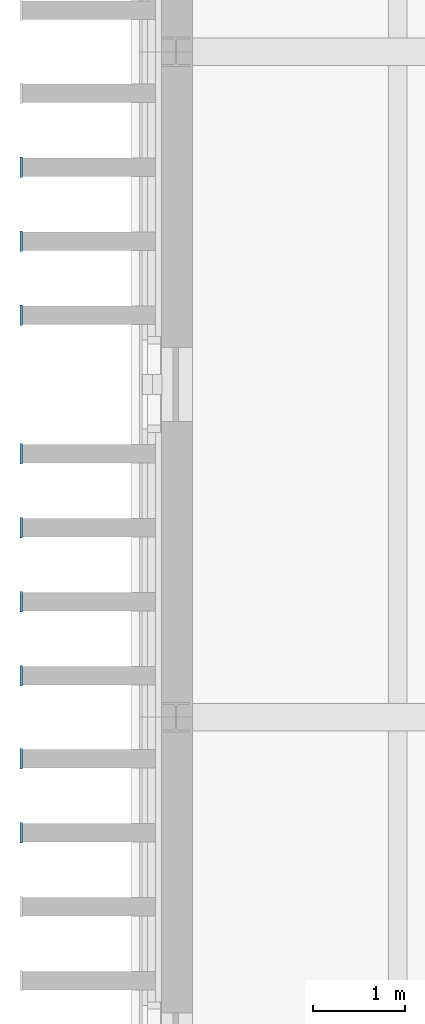
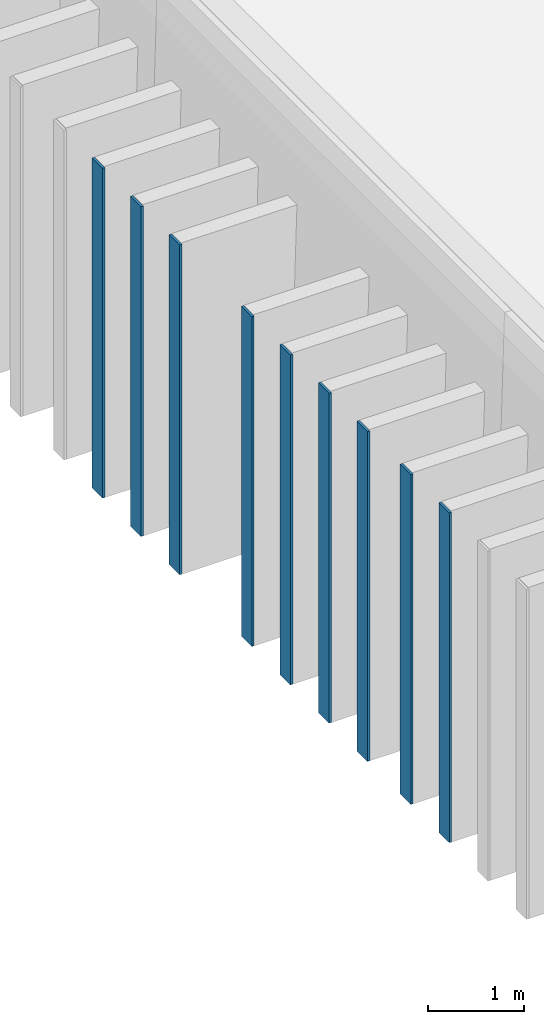
# One storey, part 18 of 44: 9 plates.
"""IFC4 building model written with IfcOpenShell, lengths in metres."""

import ifcopenshell
import ifcopenshell.guid

model = None  # the IFC model being written
_history = None  # IfcOwnerHistory: only IFC2X3 demands one
_inside = {}  # id of a spatial element -> (the spatial element, [elements in it])
_under = {}  # id of a project, library or spatial element -> (it, [spatial elements below it])
_declared = {}  # id of a project -> (the project, [libraries it declares])
_typed = {}  # id of a type object -> (the type object, [elements of that type])
_made_of = {}  # id of a material, layer set ... -> (it, [elements and type objects made of it])


def new_model(schema):
    """Start an empty IFC model of exactly this schema.

    Asked for "IFC4X3", IfcOpenShell would pick the latest addendum, in which some entities
    have other attributes; the version numbers below select the first issue.
    IFC2X3 requires an IfcOwnerHistory on every rooted entity: one is made here for all.
    """
    global model, _history
    if schema == "IFC4X3":
        model = ifcopenshell.file(schema_version=(4, 3, 0, 0))
    else:
        model = ifcopenshell.file(schema=schema)
    _inside.clear()
    _under.clear()
    _declared.clear()
    _typed.clear()
    _made_of.clear()
    _history = None
    if model.schema == "IFC2X3":
        org = make("IfcOrganization", Name="unknown")
        user = make(
            "IfcPersonAndOrganization",
            ThePerson=make("IfcPerson", FamilyName="unknown"),
            TheOrganization=org,
        )
        app = make(
            "IfcApplication",
            ApplicationDeveloper=org,
            Version="unknown",
            ApplicationFullName="unknown",
            ApplicationIdentifier="unknown",
        )
        _history = make(
            "IfcOwnerHistory",
            OwningUser=user,
            OwningApplication=app,
            ChangeAction="ADDED",
            CreationDate=0,
        )
    return model


def make(cls, **values):
    """One entity of the class cls with the attributes given. An attribute that is None is left unset."""
    return model.create_entity(
        cls, **{name: value for name, value in values.items() if value is not None}
    )


def rooted(cls, **values):
    """An entity with a GlobalId (a new one), such as an element, a storey or a relation."""
    return make(cls, GlobalId=ifcopenshell.guid.new(), OwnerHistory=_history, **values)


def si_unit(unit_type, name, prefix=None):
    """IfcSIUnit, for example si_unit("LENGTHUNIT", "METRE", prefix="MILLI")."""
    return make("IfcSIUnit", UnitType=unit_type, Prefix=prefix, Name=name)


def assignment(units):
    """IfcUnitAssignment: the units of a project."""
    return None if units is None else make("IfcUnitAssignment", Units=units)


def point(xyz):
    """IfcCartesianPoint."""
    return None if xyz is None else make("IfcCartesianPoint", Coordinates=xyz)


def direction(xyz):
    """IfcDirection."""
    return None if xyz is None else make("IfcDirection", DirectionRatios=xyz)


def frame(location, z_axis=None, x_axis=None):
    """IfcAxis2Placement3D, a coordinate frame: its origin and axes. An axis left out is left unset."""
    return make(
        "IfcAxis2Placement3D",
        Location=point(location),
        Axis=direction(z_axis),
        RefDirection=direction(x_axis),
    )


def frame_2d(location, x_axis=None):
    """IfcAxis2Placement2D, a coordinate frame in the plane: its origin and x axis."""
    return make(
        "IfcAxis2Placement2D", Location=point(location), RefDirection=direction(x_axis)
    )


def origin():
    """The frame at (0, 0, 0) with its axes left unset."""
    return frame((0.0, 0.0, 0.0))


def origin_2d():
    """The frame at (0, 0) in the plane with its x axis left unset."""
    return frame_2d((0.0, 0.0))


def place(relative_to, where):
    """IfcLocalPlacement: puts the frame where relative to a parent placement (None: the world)."""
    return make(
        "IfcLocalPlacement", PlacementRelTo=relative_to, RelativePlacement=where
    )


def context(
    kind, dimensions, precision=None, world=None, true_north=None, identifier=None
):
    """IfcGeometricRepresentationContext, for example the 3D "Model" context."""
    return make(
        "IfcGeometricRepresentationContext",
        ContextIdentifier=identifier,
        ContextType=kind,
        CoordinateSpaceDimension=dimensions,
        Precision=precision,
        WorldCoordinateSystem=world,
        TrueNorth=true_north,
    )


def subcontext(parent, identifier, kind, view, scale=None):
    """IfcGeometricRepresentationSubContext, for example "Body" below "Model"."""
    return make(
        "IfcGeometricRepresentationSubContext",
        ContextIdentifier=identifier,
        ContextType=kind,
        ParentContext=parent,
        TargetScale=scale,
        TargetView=view,
    )


def project(units=None, contexts=None):
    """IfcProject with its units and contexts."""
    return rooted(
        "IfcProject",
        Name="project",
        RepresentationContexts=contexts,
        UnitsInContext=assignment(units),
    )


def spatial(cls, under=None, at=None, **own):
    """A site, building, storey or space (cls), placed at a placement, below another one or the project."""
    s = rooted(cls, ObjectPlacement=at, **own)
    if under is not None:
        _under.setdefault(under.id(), (under, []))[1].append(s)
    return s


def profile(cls, at=None, kind="AREA", **sizes):
    """A parametric profile (cls). Its sizes go by their IFC names, for example OverallWidth=200.0."""
    return make(cls, ProfileType=kind, Position=at, **sizes)


def rectangle(**sizes):
    """IfcRectangleProfileDef."""
    return profile("IfcRectangleProfileDef", **sizes)


def extrude(swept, where, along, depth):
    """IfcExtrudedAreaSolid: the profile swept, set in the frame where, extruded along a direction by depth."""
    return make(
        "IfcExtrudedAreaSolid",
        SweptArea=swept,
        Position=where,
        ExtrudedDirection=direction(along),
        Depth=depth,
    )


def shape(context_of_items, identifier, shape_type, items):
    """IfcShapeRepresentation: the items that make up one representation, for example the "Body"."""
    return make(
        "IfcShapeRepresentation",
        ContextOfItems=context_of_items,
        RepresentationIdentifier=identifier,
        RepresentationType=shape_type,
        Items=items,
    )


def material(Name=None, Category=None):
    """IfcMaterial."""
    return make("IfcMaterial", Name=Name, Category=Category)


def layer(
    of_material, thickness, ventilated=None, Name=None, Category=None, Priority=None
):
    """IfcMaterialLayer: one layer of a wall or slab, of a material (None: an air gap)."""
    return make(
        "IfcMaterialLayer",
        Material=of_material,
        LayerThickness=thickness,
        IsVentilated=ventilated,
        Name=Name,
        Category=Category,
        Priority=Priority,
    )


def layer_set(layers, Name=None):
    """IfcMaterialLayerSet."""
    return make("IfcMaterialLayerSet", MaterialLayers=layers, LayerSetName=Name)


def made_of(thing, what):
    """Note that an element or type object is made of a material, layer set ...; save() writes the relation."""
    if what is not None:
        _made_of.setdefault(what.id(), (what, []))[1].append(thing)
    return thing


def type_object(cls, material=None, **own):
    """A type object (cls), such as IfcWallType, which elements share."""
    return made_of(rooted(cls, **own), material)


def element(
    cls,
    number,
    at=None,
    inside=None,
    cuts=None,
    type_object=None,
    material=None,
    context=None,
    identifier="Body",
    shape_type=None,
    held_by="IfcProductDefinitionShape",
    body=None,
    shapes=None,
    **own,
):
    """One element of the class cls, such as IfcWall. Its Tag is "e" and its number.

    at: its placement. inside: the storey or other place that contains it. cuts: it is an
    opening in that element (IfcRelVoidsElement). A single representation is given by context,
    identifier, shape_type and body (its items); several are given by shapes. held_by: the class
    of the entity that holds the representations. save() writes the other relations.
    """
    e = rooted(cls, Tag="e%d" % number, ObjectPlacement=at, **own)
    if body is not None:
        shapes = [shape(context, identifier, shape_type, body)]
    if shapes is not None:
        e.Representation = make(held_by, Representations=shapes)
    if inside is not None:
        _inside.setdefault(inside.id(), (inside, []))[1].append(e)
    if cuts is not None:
        rooted(
            "IfcRelVoidsElement", RelatingBuildingElement=cuts, RelatedOpeningElement=e
        )
    if type_object is not None:
        _typed.setdefault(type_object.id(), (type_object, []))[1].append(e)
    return made_of(e, material)


def aggregate(whole, parts):
    """IfcRelAggregates: a whole, such as a stair, and the parts it consists of."""
    return rooted("IfcRelAggregates", RelatingObject=whole, RelatedObjects=parts)


def save(model, path):
    """Write the relations noted so far, then the file.

    IfcRelAggregates (storeys below a building ...), IfcRelContainedInSpatialStructure (elements
    in a storey), IfcRelDefinesByType, IfcRelAssociatesMaterial and IfcRelDeclares: one each for
    every whole, place, type object, material and project.
    """
    for whole, parts in _under.values():
        aggregate(whole, parts)
    for where, things in _inside.values():
        rooted(
            "IfcRelContainedInSpatialStructure",
            RelatedElements=things,
            RelatingStructure=where,
        )
    for kind, things in _typed.values():
        rooted("IfcRelDefinesByType", RelatedObjects=things, RelatingType=kind)
    for what, things in _made_of.values():
        rooted("IfcRelAssociatesMaterial", RelatedObjects=things, RelatingMaterial=what)
    for by, libraries in _declared.values():
        rooted("IfcRelDeclares", RelatingContext=by, RelatedDefinitions=libraries)
    model.write(path)


model = new_model("IFC4")

# Units and contexts
model_context = context("Model", 3, precision=1e-05, world=origin(), true_north=direction((0.0, 1.0)))
body_context = subcontext(model_context, "Body", "Model", "MODEL_VIEW")
ifc_project = project(units=[si_unit("LENGTHUNIT", "METRE"), si_unit("AREAUNIT", "SQUARE_METRE"), si_unit("VOLUMEUNIT", "CUBIC_METRE"), si_unit("PLANEANGLEUNIT", "RADIAN"), si_unit("MASSUNIT", "GRAM", prefix="KILO")], contexts=[model_context])

# Site, building, storey
site_placement = place(None, origin())
site = spatial("IfcSite", under=ifc_project, at=site_placement, CompositionType="ELEMENT")
building_placement = place(site_placement, origin())
building = spatial("IfcBuilding", under=site, at=building_placement, Name="Narikvali Park Central Library", CompositionType="ELEMENT")
storey_placement = place(building_placement, frame((0.0, 0.0, 22.800048828125)))
storey = spatial("IfcBuildingStorey", under=building, at=storey_placement, Name="L05", CompositionType="ELEMENT", Elevation=22.800048828125)

# Plates
ifc_material = material(Name="Anodised Bronze Aluminium", Category="aluminium")
ifc_layer = layer(ifc_material, 0.028076171875, Name="Anodised Bronze Aluminium")
ifc_layer_set = layer_set([ifc_layer], Name="Anodised Bronze Aluminium")
plate_type = type_object("IfcPlateType", Name="Vertical Brick Fin Bronze Bullnose Cap 28", PredefinedType="SHEET", material=ifc_layer_set)
for number, where, z_axis, x_axis, name in (
    (1, (-1.672119140625, 92.35009765625, 0.009765625), (0.0, 0.0, 1.0), (1.0, 0.0, 0.0), "West Stacks Fin Bullnose Trim 402"),
    (2, (-1.672119140625, 93.14990234375, 0.009765625), (0.0, 0.0, 1.0), (1.0, 0.0, 0.0), "West Stacks Fin Bullnose Trim 408"),
    (3, (-1.672119140625, 94.050048828125, 0.009765625), (0.0, 0.0, 1.0), (1.0, 0.0, 0.0), "West Stacks Fin Bullnose Trim 414"),
    (4, (-1.672119140625, 94.85009765625, 0.009765625), (0.0, 0.0, 1.0), (1.0, 0.0, 0.0), "West Stacks Fin Bullnose Trim 420"),
    (5, (-1.672119140625, 95.64990234375, 0.009765625), (0.0, 0.0, 1.0), (1.0, 0.0, 0.0), "West Stacks Fin Bullnose Trim 426"),
    (6, (-1.672119140625, 96.449951171875, 0.009765625), (0.0, 0.0, 1.0), (1.0, 0.0, 0.0), "West Stacks Fin Bullnose Trim 432"),
    (7, (-1.672119140625, 97.949951171875, 0.009765625), (0.0, 0.0, 1.0), (1.0, 0.0, 0.0), "West Stacks Fin Bullnose Trim 438"),
    (8, (-1.672119140625, 98.75, 0.009765625), (0.0, 0.0, 1.0), (1.0, 0.0, 0.0), "West Stacks Fin Bullnose Trim 444"),
    (9, (-1.672119140625, 99.550048828125, 0.009765625), (0.0, 0.0, 1.0), (1.0, 0.0, 0.0), "West Stacks Fin Bullnose Trim 450"),
):
    element("IfcPlate", number, at=place(storey_placement, frame(where, z_axis=z_axis, x_axis=x_axis)), inside=storey, type_object=plate_type, Name=name, PredefinedType="SHEET", context=body_context, shape_type="SweptSolid", body=[
        extrude(rectangle(XDim=0.028076171875, YDim=0.219970703125, at=origin_2d()), origin(), (0.0, 0.0, 1.0), 4.179931640625),
    ])

save(model, "model.ifc")
